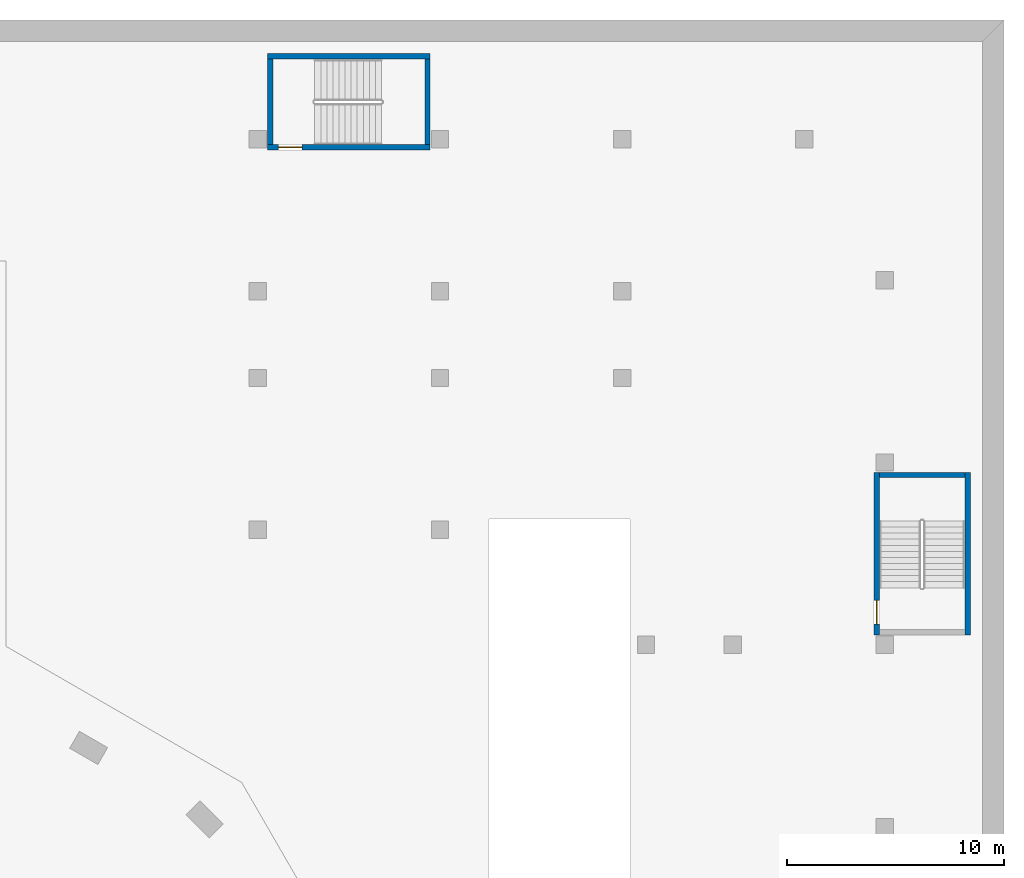
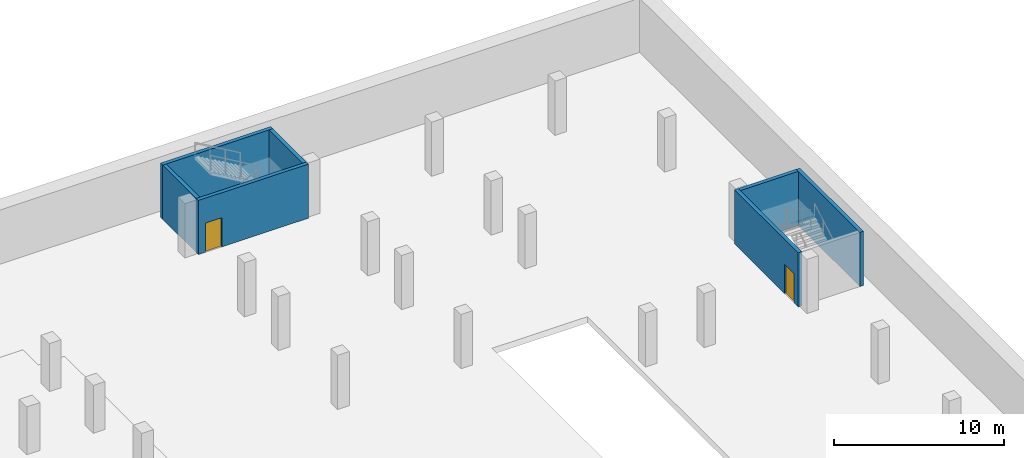
# One storey, part 12 of 25: 7 walls, 2 doors, 2 openings.
"""IFC4 building model written with IfcOpenShell, lengths in metres."""

from ifc_helpers import new_model, si_unit, direction, frame, frame_2d, origin, place, context, subcontext, project, spatial, rectangle, extrude, material, layer, layer_set, type_object, element, fill, save


model = new_model("IFC4")

# Units and contexts
model_context = context("Model", 3, precision=1e-05, world=origin(), true_north=direction((0.0, 1.0)))
body_context = subcontext(model_context, "Body", "Model", "MODEL_VIEW")
ifc_project = project(units=[si_unit("LENGTHUNIT", "METRE"), si_unit("AREAUNIT", "SQUARE_METRE"), si_unit("VOLUMEUNIT", "CUBIC_METRE"), si_unit("PLANEANGLEUNIT", "RADIAN"), si_unit("MASSUNIT", "GRAM", prefix="KILO")], contexts=[model_context])

# Site, building, storey
site_placement = place(None, origin())
site = spatial("IfcSite", under=ifc_project, at=site_placement, CompositionType="ELEMENT")
building_placement = place(site_placement, origin())
building = spatial("IfcBuilding", under=site, at=building_placement, Name="Verdalira Terraces Hotel", CompositionType="ELEMENT")
storey_placement = place(building_placement, frame((0.0, 0.0, -7.800049)))
storey = spatial("IfcBuildingStorey", under=building, at=storey_placement, Name="B2", CompositionType="ELEMENT", Elevation=-7.800048828125)

# Wall
ifc_material_1 = material(Name="Concrete C40", Category="concrete")
ifc_layer = layer(ifc_material_1, 0.25)
ifc_layer_set = layer_set([ifc_layer], Name="Stair enclosure wall 250 C40")
wall_type = type_object("IfcWallType", Name="Stair enclosure wall 250 C40", PredefinedType="SOLIDWALL", material=ifc_layer_set)
wall_1_placement = place(storey_placement, frame((20.050049, 52.324951, 0.0), z_axis=(0.0, 0.0, 1.0), x_axis=(1.0, 0.0, 0.0)))
element("IfcWall", 1, at=wall_1_placement, inside=storey, type_object=wall_type, Name="Stair BS3 enclosure wall", PredefinedType="SOLIDWALL", context=body_context, shape_type="SweptSolid", body=[
    extrude(rectangle(XDim=7.5, YDim=0.25, at=frame_2d((3.75, 0.0))), origin(), (0.0, 0.0, 1.0), 3.900146),
])

# Wall, opening, door
wall_2_placement = place(storey_placement, frame((20.050049, 48.125, 0.0), z_axis=(0.0, 0.0, 1.0), x_axis=(1.0, 0.0, 0.0)))
wall_2 = element("IfcWall", 2, at=wall_2_placement, inside=storey, type_object=wall_type, Name="Stair BS3 enclosure wall", PredefinedType="SOLIDWALL", context=body_context, shape_type="SweptSolid", body=[
    extrude(rectangle(XDim=7.5, YDim=0.25, at=frame_2d((3.75, 0.0))), origin(), (0.0, 0.0, 1.0), 3.900146),
])
opening_1_placement = place(wall_2_placement, frame((0.5, 0.0, 0.0)))
opening_1 = element("IfcOpeningElement", 3, at=opening_1_placement, cuts=wall_2, Name="Opening B2-D603", PredefinedType="OPENING", context=body_context, shape_type="SweptSolid", body=[
    extrude(rectangle(XDim=1.100098, YDim=2.100098, at=frame_2d((0.550049, 1.050049))), frame((0.0, 0.13501, 0.0), z_axis=(0.0, -1.0, 0.0), x_axis=(1.0, 0.0, 0.0)), (0.0, 0.0, 1.0), 0.27002),
])
ifc_material_2 = material(Name="Steel fire door", Category="steel")
door_type = type_object("IfcDoorType", Name="Stair door 1100 x 2100", OperationType="SINGLE_SWING_LEFT", PredefinedType="DOOR", material=ifc_material_2)
door_1_placement = place(opening_1_placement, origin())
door_1 = element("IfcDoor", 4, at=door_1_placement, inside=storey, type_object=door_type, Name="Stair BS3 door", OperationType="SINGLE_SWING_LEFT", OverallHeight=2.10009765625, OverallWidth=1.10009765625, PredefinedType="DOOR", context=body_context, shape_type="SweptSolid", body=[
    extrude(rectangle(XDim=1.100098, YDim=2.100098, at=frame_2d((0.550049, 1.050049))), frame((0.0, 0.024902, 0.0), z_axis=(0.0, -1.0, 0.0), x_axis=(1.0, 0.0, 0.0)), (0.0, 0.0, 1.0), 0.050049),
])
fill(opening_1, door_1)

# Walls
for number, where, z_axis, x_axis, name in (
    (5, (20.175049, 48.25, 0.0), (0.0, 0.0, 1.0), (0.0, 1.0, 0.0), "Stair BS3 enclosure wall"),
    (6, (27.425049, 48.25, 0.0), (0.0, 0.0, 1.0), (0.0, 1.0, 0.0), "Stair BS3 enclosure wall"),
):
    element("IfcWall", number, at=place(storey_placement, frame(where, z_axis=z_axis, x_axis=x_axis)), inside=storey, type_object=wall_type, Name=name, PredefinedType="SOLIDWALL", context=body_context, shape_type="SweptSolid", body=[
        extrude(rectangle(XDim=3.949951, YDim=0.25, at=frame_2d((1.975098, 0.0))), origin(), (0.0, 0.0, 1.0), 3.900146),
    ])

# Wall, opening, door
wall_3_placement = place(storey_placement, frame((48.125, 25.649902, 0.0), z_axis=(0.0, 0.0, 1.0), x_axis=(0.0, 1.0, 0.0)))
wall_3 = element("IfcWall", 7, at=wall_3_placement, inside=storey, type_object=wall_type, Name="Stair BS5 enclosure wall", PredefinedType="SOLIDWALL", context=body_context, shape_type="SweptSolid", body=[
    extrude(rectangle(XDim=7.5, YDim=0.25, at=frame_2d((3.75, 0.0))), origin(), (0.0, 0.0, 1.0), 3.900146),
])
opening_2_placement = place(wall_3_placement, frame((0.5, 0.0, 0.0)))
opening_2 = element("IfcOpeningElement", 8, at=opening_2_placement, cuts=wall_3, Name="Opening B2-D605", PredefinedType="OPENING", context=body_context, shape_type="SweptSolid", body=[
    extrude(rectangle(XDim=1.100098, YDim=2.100098, at=frame_2d((0.550049, 1.050049))), frame((0.0, 0.13501, 0.0), z_axis=(0.0, -1.0, 0.0), x_axis=(1.0, 0.0, 0.0)), (0.0, 0.0, 1.0), 0.27002),
])
door_2_placement = place(opening_2_placement, origin())
door_2 = element("IfcDoor", 9, at=door_2_placement, inside=storey, type_object=door_type, Name="Stair BS5 door", OperationType="SINGLE_SWING_RIGHT", OverallHeight=2.10009765625, OverallWidth=1.10009765625, PredefinedType="DOOR", context=body_context, shape_type="SweptSolid", body=[
    extrude(rectangle(XDim=1.100098, YDim=2.100098, at=frame_2d((0.550049, 1.050049))), frame((0.0, 0.024902, 0.0), z_axis=(0.0, -1.0, 0.0), x_axis=(1.0, 0.0, 0.0)), (0.0, 0.0, 1.0), 0.050049),
])
fill(opening_2, door_2)

# Walls
wall_4_placement = place(storey_placement, frame((52.324951, 25.649902, 0.0), z_axis=(0.0, 0.0, 1.0), x_axis=(0.0, 1.0, 0.0)))
element("IfcWall", 10, at=wall_4_placement, inside=storey, type_object=wall_type, Name="Stair BS5 enclosure wall", PredefinedType="SOLIDWALL", context=body_context, shape_type="SweptSolid", body=[
    extrude(rectangle(XDim=7.5, YDim=0.25, at=frame_2d((3.75, 0.0))), origin(), (0.0, 0.0, 1.0), 3.900146),
])
wall_5_placement = place(storey_placement, frame((52.199951, 33.024902, 0.0), z_axis=(0.0, 0.0, 1.0), x_axis=(-1.0, 0.0, 0.0)))
element("IfcWall", 11, at=wall_5_placement, inside=storey, type_object=wall_type, Name="Stair BS5 enclosure wall", PredefinedType="SOLIDWALL", context=body_context, shape_type="SweptSolid", body=[
    extrude(rectangle(XDim=3.949951, YDim=0.25, at=frame_2d((1.975098, 0.0))), origin(), (0.0, 0.0, 1.0), 3.900146),
])

save(model, "model.ifc")
